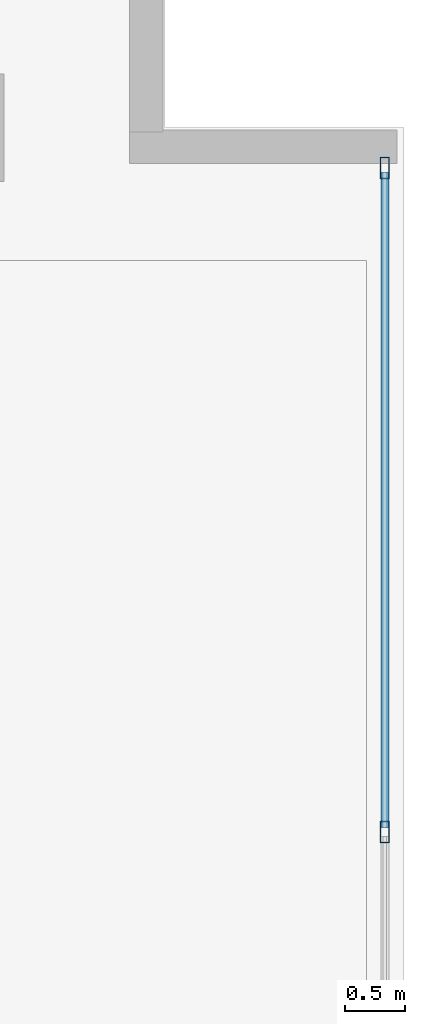
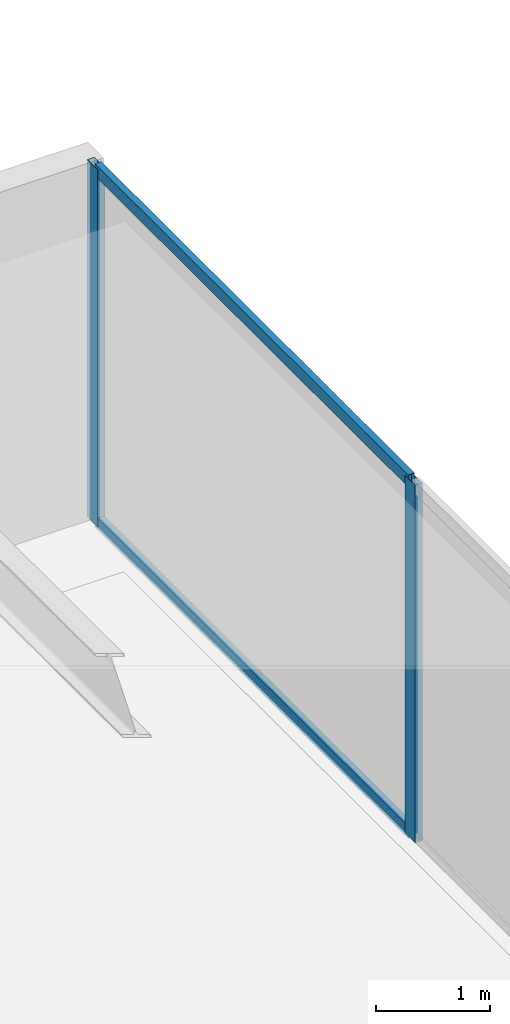
# One storey, part 18 of 32: 4 members, 1 element without a shape of its own.
"""IFC4 building model written with IfcOpenShell, lengths in metres."""

from ifc_helpers import new_model, si_unit, direction, frame, origin, origin_with_axes, origin_2d, place, context, subcontext, project, spatial, hollow_rectangle, extrude, source, transform, mapped, material, layer, layer_set, material_profile, profile_set, type_object, element, aggregate, save


model = new_model("IFC4")

# Units and contexts
model_context = context("Model", 3, precision=1e-05, world=origin(), true_north=direction((0.0, 1.0)))
body_context = subcontext(model_context, "Body", "Model", "MODEL_VIEW")
ifc_project = project(units=[si_unit("LENGTHUNIT", "METRE"), si_unit("AREAUNIT", "SQUARE_METRE"), si_unit("VOLUMEUNIT", "CUBIC_METRE"), si_unit("PLANEANGLEUNIT", "RADIAN"), si_unit("MASSUNIT", "GRAM", prefix="KILO")], contexts=[model_context])

# Site, building, storey
site_placement = place(None, origin())
site = spatial("IfcSite", under=ifc_project, at=site_placement, CompositionType="ELEMENT")
building_placement = place(site_placement, origin())
building = spatial("IfcBuilding", under=site, at=building_placement, Name="Kolvaren Waterfront Exchange", CompositionType="ELEMENT")
storey_placement = place(building_placement, frame((0.0, 0.0, 352.0)))
storey = spatial("IfcBuildingStorey", under=building, at=storey_placement, Name="L90", CompositionType="ELEMENT", Elevation=352.0)

# Curtain wall, members
ifc_material = material(Name="Anodised bronze aluminium 6063-T6", Category="aluminium")
ifc_layer = layer(ifc_material, 0.219970703125, Name="Anodised bronze aluminium 6063-T6")
ifc_layer_set = layer_set([ifc_layer], Name="Anodised bronze aluminium 6063-T6")
curtain_wall_type = type_object("IfcCurtainWallType", Name="ARC-CW-SYS5", PredefinedType="USERDEFINED", material=ifc_layer_set)
curtain_wall_placement = place(storey_placement, origin())
curtain_wall = element("IfcCurtainWall", 1, at=curtain_wall_placement, inside=storey, type_object=curtain_wall_type, Name="L90 stick curtain wall CW5 (CW-L90-ET)", ObjectType="STICK CURTAIN WALL", PredefinedType="USERDEFINED")
ifc_material_profile_1 = material_profile(ifc_material, hollow_rectangle(XDim=0.06494140625, YDim=0.1298828125, WallThickness=0.00390625, at=origin_2d()), Name="ALU-TRN-130x65x4")
ifc_profile_set_1 = profile_set([ifc_material_profile_1], Name="Anodised bronze aluminium 6063-T6")
member_type_1 = type_object("IfcMemberType", Name="ARC-CWT-130", PredefinedType="USERDEFINED", material=ifc_profile_set_1)
shared_shape_1 = source(origin_with_axes(), body_context, "Body", "SweptSolid", [
    extrude(hollow_rectangle(XDim=0.06494140625, YDim=0.1298828125, WallThickness=0.00390625, at=origin_2d()), origin(), (0.0, 0.0, 1.0), 5.4873046875),
])
member_1_placement = place(storey_placement, frame((49.239990234375, 11.53759765625, 0.032470703125), z_axis=(0.0, 1.0, 0.0), x_axis=(-1.0, 0.0, 0.0)))
member_1 = element("IfcMember", 2, at=member_1_placement, type_object=member_type_1, Name="CW5 transom 2.1", ObjectType="TRANSOM", PredefinedType="USERDEFINED", context=body_context, shape_type="MappedRepresentation", body=[
    mapped(shared_shape_1, transform((0.0, 0.0, 0.0), x_axis=(1.0, 0.0, 0.0), y_axis=(0.0, 1.0, 0.0), z_axis=(0.0, 0.0, 1.0), scale=1.0)),
])
member_2_placement = place(storey_placement, frame((49.239990234375, 11.53759765625, 3.78759765625), z_axis=(0.0, 1.0, 0.0), x_axis=(-1.0, 0.0, 0.0)))
member_2 = element("IfcMember", 3, at=member_2_placement, type_object=member_type_1, Name="CW5 transom 2.2", ObjectType="TRANSOM", PredefinedType="USERDEFINED", context=body_context, shape_type="MappedRepresentation", body=[
    mapped(shared_shape_1, transform((0.0, 0.0, 0.0), x_axis=(1.0, 0.0, 0.0), y_axis=(0.0, 1.0, 0.0), z_axis=(0.0, 0.0, 1.0), scale=1.0)),
])
ifc_material_profile_2 = material_profile(ifc_material, hollow_rectangle(XDim=0.074951171875, YDim=0.179931640625, WallThickness=0.00439453125, at=origin_2d()), Name="ALU-MUL-180x75x4.5")
ifc_profile_set_2 = profile_set([ifc_material_profile_2], Name="Anodised bronze aluminium 6063-T6")
member_type_2 = type_object("IfcMemberType", Name="ARC-CWM-180", PredefinedType="MULLION", material=ifc_profile_set_2)
shared_shape_2 = source(origin_with_axes(), body_context, "Body", "SweptSolid", [
    extrude(hollow_rectangle(XDim=0.074951171875, YDim=0.179931640625, WallThickness=0.00439453125, at=origin_2d()), origin(), (0.0, 0.0, 1.0), 3.820068359375),
])
member_3_placement = place(storey_placement, frame((49.239990234375, 11.5, 0.0), z_axis=(0.0, 0.0, 1.0), x_axis=(-1.0, 0.0, 0.0)))
member_3 = element("IfcMember", 4, at=member_3_placement, type_object=member_type_2, Name="CW5 mullion 2", PredefinedType="MULLION", context=body_context, shape_type="MappedRepresentation", body=[
    mapped(shared_shape_2, transform((0.0, 0.0, 0.0), x_axis=(1.0, 0.0, 0.0), y_axis=(0.0, 1.0, 0.0), z_axis=(0.0, 0.0, 1.0), scale=1.0)),
])
member_4_placement = place(storey_placement, frame((49.239990234375, 17.0625, 0.0), z_axis=(0.0, 0.0, 1.0), x_axis=(-1.0, 0.0, 0.0)))
member_4 = element("IfcMember", 5, at=member_4_placement, type_object=member_type_2, Name="CW5 mullion 3", PredefinedType="MULLION", context=body_context, shape_type="MappedRepresentation", body=[
    mapped(shared_shape_2, transform((0.0, 0.0, 0.0), x_axis=(1.0, 0.0, 0.0), y_axis=(0.0, 1.0, 0.0), z_axis=(0.0, 0.0, 1.0), scale=1.0)),
])
aggregate(curtain_wall, [member_3, member_4, member_1, member_2])

save(model, "model.ifc")
